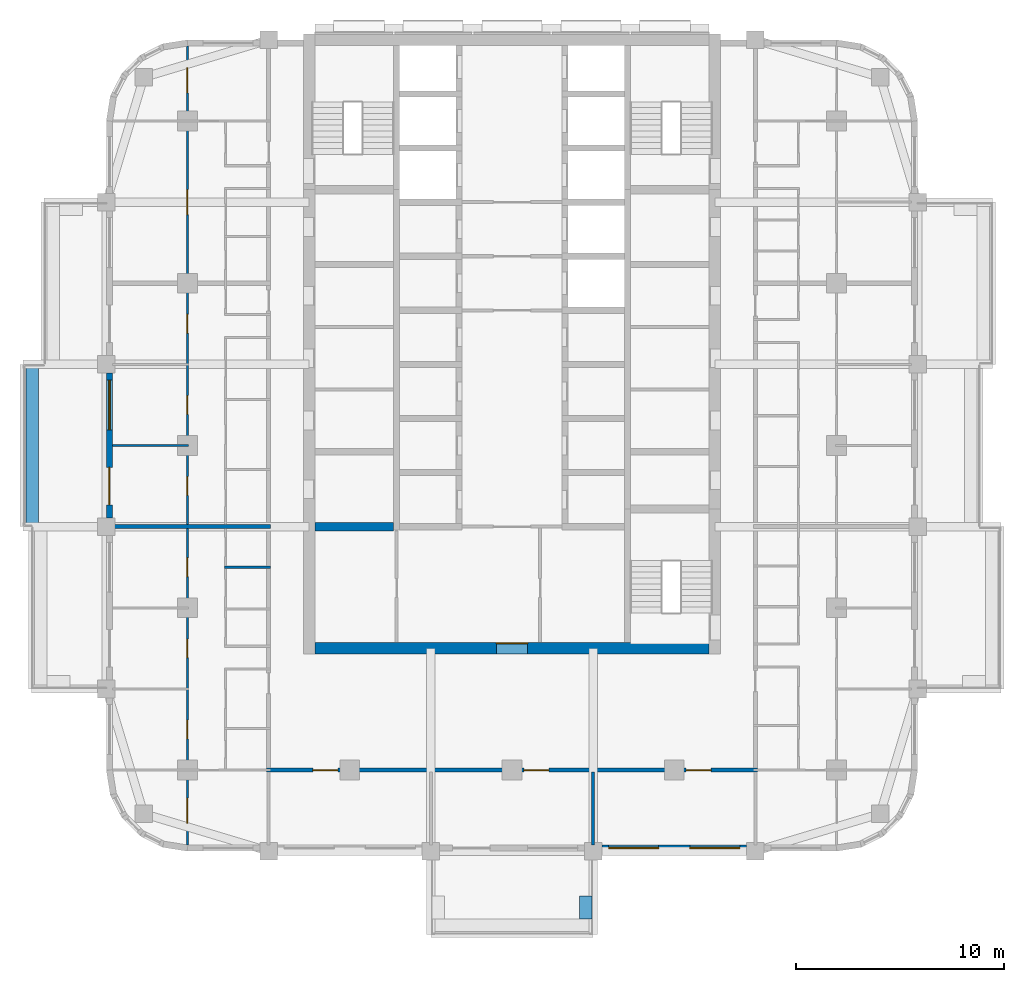
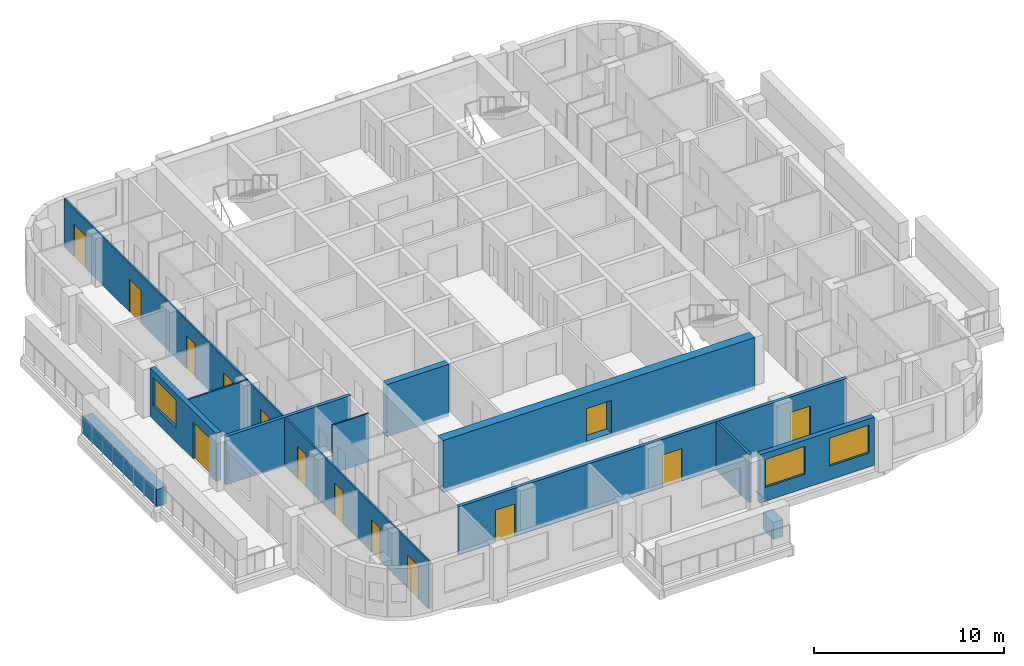
# One storey, part 3 of 14: 14 doors, 12 walls, 3 windows, 17 openings.
"""IFC4 building model written with IfcOpenShell, lengths in metres."""

from ifc_helpers import new_model, si_unit, direction, frame, frame_2d, origin, place, context, subcontext, project, spatial, rectangle, extrude, material, layer, layer_set, type_object, element, fill, save


model = new_model("IFC4")

# Units and contexts
model_context = context("Model", 3, precision=1e-05, world=origin(), true_north=direction((0.0, 1.0)))
body_context = subcontext(model_context, "Body", "Model", "MODEL_VIEW")
ifc_project = project(units=[si_unit("LENGTHUNIT", "METRE"), si_unit("AREAUNIT", "SQUARE_METRE"), si_unit("VOLUMEUNIT", "CUBIC_METRE"), si_unit("PLANEANGLEUNIT", "RADIAN"), si_unit("MASSUNIT", "GRAM", prefix="KILO")], contexts=[model_context])

# Site, building, storey
site_placement = place(None, origin())
site = spatial("IfcSite", under=ifc_project, at=site_placement, CompositionType="ELEMENT")
building_placement = place(site_placement, origin())
building = spatial("IfcBuilding", under=site, at=building_placement, Name="Ludao Terraces", CompositionType="ELEMENT")
storey_placement = place(building_placement, frame((0.0, 0.0, 140.699951171875)))
storey = spatial("IfcBuildingStorey", under=building, at=storey_placement, Name="L38", CompositionType="ELEMENT", Elevation=140.699951171875)

# Wall, opening, door
ifc_material_1 = material(Name="Concrete C60", Category="concrete")
ifc_layer_1 = layer(ifc_material_1, 0.550048828125)
ifc_layer_set_1 = layer_set([ifc_layer_1], Name="Core wall 550 C60")
wall_type_1 = type_object("IfcWallType", Name="Core wall 550 C60", PredefinedType="SOLIDWALL", material=ifc_layer_set_1)
wall_1_placement = place(storey_placement, frame((75.52490234375, 55.25, -0.25), z_axis=(0.0, 0.0, 1.0), x_axis=(1.0, 0.0, 0.0)))
wall_1 = element("IfcWall", 1, at=wall_1_placement, inside=storey, type_object=wall_type_1, Name="Core wall L38 outer-S", PredefinedType="SOLIDWALL", context=body_context, shape_type="SweptSolid", body=[
    extrude(rectangle(XDim=18.9501953125, YDim=0.550048828125, at=frame_2d((9.47509765625, 0.0))), origin(), (0.0, 0.0, 1.0), 3.35009765625),
])
opening_1_placement = place(wall_1_placement, frame((8.72509765625, 0.0, 0.25)))
opening_1 = element("IfcOpeningElement", 2, at=opening_1_placement, cuts=wall_1, Name="Opening R13-017", PredefinedType="OPENING", context=body_context, shape_type="SweptSolid", body=[
    extrude(rectangle(XDim=1.5, YDim=2.10009765625, at=frame_2d((0.75, 1.050048828125))), frame((0.0, 0.28515625, 0.0), z_axis=(0.0, -1.0, 0.0), x_axis=(1.0, 0.0, 0.0)), (0.0, 0.0, 1.0), 0.570068359375),
])
ifc_material_2 = material(Name="Steel Q235", Category="steel")
door_type_1 = type_object("IfcDoorType", Name="INT Lobby door 1500", OperationType="DOUBLE_DOOR_SINGLE_SWING", PredefinedType="DOOR", material=ifc_material_2)
door_1_placement = place(opening_1_placement, origin())
door_1 = element("IfcDoor", 3, at=door_1_placement, inside=storey, type_object=door_type_1, Name="DOOR 017", OperationType="DOUBLE_DOOR_SINGLE_SWING", OverallHeight=2.10009765625, OverallWidth=1.5, PredefinedType="DOOR", context=body_context, shape_type="SweptSolid", body=[
    extrude(rectangle(XDim=1.5, YDim=2.10009765625, at=frame_2d((0.75, 1.050048828125))), frame((0.0, 0.26025390625, 0.0), z_axis=(0.0, -1.0, 0.0), x_axis=(1.0, 0.0, 0.0)), (0.0, 0.0, 1.0), 0.050048828125),
])
fill(opening_1, door_1)

# Walls
ifc_material_3 = material(Name="Concrete C40", Category="concrete")
ifc_layer_2 = layer(ifc_material_3, 0.60009765625)
ifc_layer_set_2 = layer_set([ifc_layer_2], Name="ENV Planter trough 600")
wall_type_2 = type_object("IfcWallType", Name="ENV Planter trough 600", PredefinedType="USERDEFINED", material=ifc_layer_set_2)
wall_2_placement = place(storey_placement, frame((88.550048828125, 42.25, 0.0), z_axis=(0.0, 0.0, 1.0), x_axis=(0.0, 1.0, 0.0)))
element("IfcWall", 4, at=wall_2_placement, inside=storey, type_object=wall_type_2, Name="PL-L38-S1-SB", ObjectType="PLANTER", PredefinedType="USERDEFINED", context=body_context, shape_type="SweptSolid", body=[
    extrude(rectangle(XDim=1.10009765625, YDim=0.60009765625, at=frame_2d((0.550048828125, 0.0))), origin(), (0.0, 0.0, 1.0), 1.10009765625),
])
wall_3_placement = place(storey_placement, frame((61.949951171875, 61.10009765625, 0.0), z_axis=(0.0, 0.0, 1.0), x_axis=(0.0, 1.0, 0.0)))
element("IfcWall", 5, at=wall_3_placement, inside=storey, type_object=wall_type_2, Name="PL-L38-W2", ObjectType="PLANTER", PredefinedType="USERDEFINED", context=body_context, shape_type="SweptSolid", body=[
    extrude(rectangle(XDim=7.7998046875, YDim=0.60009765625, at=frame_2d((3.89990234375, 0.0))), origin(), (0.0, 0.0, 1.0), 1.10009765625),
])

# Wall, openings, windows
ifc_material_4 = material(Name="Granite cladding", Category="masonry")
ifc_layer_3 = layer(ifc_material_4, 0.0400390625, Category="stone")
ifc_material_5 = material(Name="Mineral wool")
ifc_layer_4 = layer(ifc_material_5, 0.06005859375)
ifc_layer_5 = layer(ifc_material_3, 0.199951171875, Category="concrete")
ifc_layer_set_3 = layer_set([ifc_layer_3, ifc_layer_4, ifc_layer_5], Name="ENV Stone-clad wall 300")
wall_type_3 = type_object("IfcWallType", Name="ENV Stone-clad wall 300", PredefinedType="SOLIDWALL", material=ifc_layer_set_3)
wall_4_placement = place(storey_placement, frame((89.324951171875, 45.64990234375, 0.0), z_axis=(0.0, 0.0, 1.0), x_axis=(1.0, 0.0, 0.0)))
wall_4 = element("IfcWall", 6, at=wall_4_placement, inside=storey, type_object=wall_type_3, Name="EW-L38-S4", PredefinedType="SOLIDWALL", context=body_context, shape_type="SweptSolid", body=[
    extrude(rectangle(XDim=6.949951171875, YDim=0.300048828125, at=frame_2d((3.47509765625, 0.0))), origin(), (0.0, 0.0, 1.0), 3.10009765625),
])
opening_2_placement = place(wall_4_placement, frame((0.324951171875, 0.0, 0.89990234375)))
opening_2 = element("IfcOpeningElement", 7, at=opening_2_placement, cuts=wall_4, Name="Opening W1", PredefinedType="OPENING", context=body_context, shape_type="SweptSolid", body=[
    extrude(rectangle(XDim=2.39990234375, YDim=1.800048828125, at=frame_2d((1.199951171875, 0.89990234375))), frame((0.0, 0.16015625, 0.0), z_axis=(0.0, -1.0, 0.0), x_axis=(1.0, 0.0, 0.0)), (0.0, 0.0, 1.0), 0.320068359375),
])
opening_3_placement = place(wall_4_placement, frame((4.22509765625, 0.0, 0.89990234375)))
opening_3 = element("IfcOpeningElement", 8, at=opening_3_placement, cuts=wall_4, Name="Opening W1", PredefinedType="OPENING", context=body_context, shape_type="SweptSolid", body=[
    extrude(rectangle(XDim=2.39990234375, YDim=1.800048828125, at=frame_2d((1.199951171875, 0.89990234375))), frame((0.0, 0.16015625, 0.0), z_axis=(0.0, -1.0, 0.0), x_axis=(1.0, 0.0, 0.0)), (0.0, 0.0, 1.0), 0.320068359375),
])
ifc_material_6 = material(Name="Clear glass in aluminium frame", Category="aluminium")
ifc_layer_6 = layer(ifc_material_6, 0.06005859375)
ifc_layer_set_4 = layer_set([ifc_layer_6], Name="ENV Window W1 2400x1800")
window_type = type_object("IfcWindowType", Name="ENV Window W1 2400x1800", PartitioningType="DOUBLE_PANEL_VERTICAL", PredefinedType="WINDOW", material=ifc_layer_set_4)
window_1_placement = place(opening_2_placement, origin())
window_1 = element("IfcWindow", 9, at=window_1_placement, inside=storey, type_object=window_type, Name="W-L38-S4-1", OverallHeight=1.800048828125, OverallWidth=2.39990234375, PartitioningType="DOUBLE_PANEL_VERTICAL", PredefinedType="WINDOW", context=body_context, shape_type="SweptSolid", body=[
    extrude(rectangle(XDim=2.39990234375, YDim=1.800048828125, at=frame_2d((1.199951171875, 0.89990234375))), frame((0.0, 0.030029296875, 0.0), z_axis=(0.0, -1.0, 0.0), x_axis=(1.0, 0.0, 0.0)), (0.0, 0.0, 1.0), 0.06005859375),
])
fill(opening_2, window_1)
window_2_placement = place(opening_3_placement, origin())
window_2 = element("IfcWindow", 10, at=window_2_placement, inside=storey, type_object=window_type, Name="W-L38-S4-2", OverallHeight=1.800048828125, OverallWidth=2.39990234375, PartitioningType="DOUBLE_PANEL_VERTICAL", PredefinedType="WINDOW", context=body_context, shape_type="SweptSolid", body=[
    extrude(rectangle(XDim=2.39990234375, YDim=1.800048828125, at=frame_2d((1.199951171875, 0.89990234375))), frame((0.0, 0.030029296875, 0.0), z_axis=(0.0, -1.0, 0.0), x_axis=(1.0, 0.0, 0.0)), (0.0, 0.0, 1.0), 0.06005859375),
])
fill(opening_3, window_2)

# Wall, openings, door, window
wall_5_placement = place(storey_placement, frame((65.64990234375, 61.52490234375, 0.0), z_axis=(0.0, 0.0, 1.0), x_axis=(0.0, 1.0, 0.0)))
wall_5 = element("IfcWall", 11, at=wall_5_placement, inside=storey, type_object=wall_type_3, Name="EW-L38-W3", PredefinedType="SOLIDWALL", context=body_context, shape_type="SweptSolid", body=[
    extrude(rectangle(XDim=6.9501953125, YDim=0.300048828125, at=frame_2d((3.47509765625, 0.0))), origin(), (0.0, 0.0, 1.0), 3.10009765625),
])
opening_4_placement = place(wall_5_placement, frame((0.625, 0.0, 0.0)))
opening_4 = element("IfcOpeningElement", 12, at=opening_4_placement, cuts=wall_5, Name="Opening BD", PredefinedType="OPENING", context=body_context, shape_type="SweptSolid", body=[
    extrude(rectangle(XDim=1.800048828125, YDim=2.39990234375, at=frame_2d((0.89990234375, 1.199951171875))), frame((0.0, 0.16015625, 0.0), z_axis=(0.0, -1.0, 0.0), x_axis=(1.0, 0.0, 0.0)), (0.0, 0.0, 1.0), 0.320068359375),
])
opening_5_placement = place(wall_5_placement, frame((4.22509765625, 0.0, 0.89990234375)))
opening_5 = element("IfcOpeningElement", 13, at=opening_5_placement, cuts=wall_5, Name="Opening W1", PredefinedType="OPENING", context=body_context, shape_type="SweptSolid", body=[
    extrude(rectangle(XDim=2.39990234375, YDim=1.800048828125, at=frame_2d((1.199951171875, 0.89990234375))), frame((0.0, 0.16015625, 0.0), z_axis=(0.0, -1.0, 0.0), x_axis=(1.0, 0.0, 0.0)), (0.0, 0.0, 1.0), 0.320068359375),
])
ifc_material_7 = material(Name="Aluminium glazed door", Category="aluminium")
ifc_layer_7 = layer(ifc_material_7, 0.06005859375)
ifc_layer_set_5 = layer_set([ifc_layer_7], Name="ENV Balcony door BD 1800x2400")
door_type_2 = type_object("IfcDoorType", Name="ENV Balcony door BD 1800x2400", OperationType="DOUBLE_DOOR_SINGLE_SWING", PredefinedType="DOOR", material=ifc_layer_set_5)
door_2_placement = place(opening_4_placement, origin())
door_2 = element("IfcDoor", 14, at=door_2_placement, inside=storey, type_object=door_type_2, Name="BD-L38-W3-1", OperationType="DOUBLE_DOOR_SINGLE_SWING", OverallHeight=2.39990234375, OverallWidth=1.800048828125, PredefinedType="DOOR", context=body_context, shape_type="SweptSolid", body=[
    extrude(rectangle(XDim=1.800048828125, YDim=2.39990234375, at=frame_2d((0.89990234375, 1.199951171875))), frame((0.0, 0.02490234375, 0.0), z_axis=(0.0, -1.0, 0.0), x_axis=(1.0, 0.0, 0.0)), (0.0, 0.0, 1.0), 0.050048828125),
])
fill(opening_4, door_2)
window_3_placement = place(opening_5_placement, origin())
window_3 = element("IfcWindow", 15, at=window_3_placement, inside=storey, type_object=window_type, Name="W-L38-W3-2", OverallHeight=1.800048828125, OverallWidth=2.39990234375, PartitioningType="DOUBLE_PANEL_VERTICAL", PredefinedType="WINDOW", context=body_context, shape_type="SweptSolid", body=[
    extrude(rectangle(XDim=2.39990234375, YDim=1.800048828125, at=frame_2d((1.199951171875, 0.89990234375))), frame((0.0, 0.030029296875, 0.0), z_axis=(0.0, -1.0, 0.0), x_axis=(1.0, 0.0, 0.0)), (0.0, 0.0, 1.0), 0.06005859375),
])
fill(opening_5, window_3)

# Wall, openings, doors
ifc_material_8 = material(Name="Autoclaved aerated concrete block B06 A3.5", Category="concrete")
ifc_layer_8 = layer(ifc_material_8, 0.199951171875)
ifc_layer_set_6 = layer_set([ifc_layer_8], Name="INT Entrance wall 200")
wall_type_4 = type_object("IfcWallType", Name="INT Entrance wall 200", PredefinedType="PARTITIONING", material=ifc_layer_set_6)
wall_6_placement = place(storey_placement, frame((73.2001953125, 49.39990234375, 0.0), z_axis=(0.0, 0.0, 1.0), x_axis=(1.0, 0.0, 0.0)))
wall_6 = element("IfcWall", 16, at=wall_6_placement, inside=storey, type_object=wall_type_4, Name="PW-L38-PW001", PredefinedType="PARTITIONING", context=body_context, shape_type="SweptSolid", body=[
    extrude(rectangle(XDim=23.599853515625, YDim=0.199951171875, at=frame_2d((11.7998046875, 0.0))), origin(), (0.0, 0.0, 1.0), 3.10009765625),
])
opening_6_placement = place(wall_6_placement, frame((2.224853515625, 0.0, 0.0)))
opening_6 = element("IfcOpeningElement", 17, at=opening_6_placement, cuts=wall_6, Name="Opening R13-004", PredefinedType="OPENING", context=body_context, shape_type="SweptSolid", body=[
    extrude(rectangle(XDim=1.199951171875, YDim=2.10009765625, at=frame_2d((0.60009765625, 1.050048828125))), frame((0.0, 0.10986328125, 0.0), z_axis=(0.0, -1.0, 0.0), x_axis=(1.0, 0.0, 0.0)), (0.0, 0.0, 1.0), 0.219970703125),
])
opening_7_placement = place(wall_6_placement, frame((12.375, 0.0, 0.0)))
opening_7 = element("IfcOpeningElement", 18, at=opening_7_placement, cuts=wall_6, Name="Opening R13-005", PredefinedType="OPENING", context=body_context, shape_type="SweptSolid", body=[
    extrude(rectangle(XDim=1.199951171875, YDim=2.10009765625, at=frame_2d((0.60009765625, 1.050048828125))), frame((0.0, 0.10986328125, 0.0), z_axis=(0.0, -1.0, 0.0), x_axis=(1.0, 0.0, 0.0)), (0.0, 0.0, 1.0), 0.219970703125),
])
opening_8_placement = place(wall_6_placement, frame((20.1748046875, 0.0, 0.0)))
opening_8 = element("IfcOpeningElement", 19, at=opening_8_placement, cuts=wall_6, Name="Opening R13-006", PredefinedType="OPENING", context=body_context, shape_type="SweptSolid", body=[
    extrude(rectangle(XDim=1.199951171875, YDim=2.10009765625, at=frame_2d((0.60009765625, 1.050048828125))), frame((0.0, 0.10986328125, 0.0), z_axis=(0.0, -1.0, 0.0), x_axis=(1.0, 0.0, 0.0)), (0.0, 0.0, 1.0), 0.219970703125),
])
ifc_material_9 = material(Name="Timber door leaf", Category="wood")
door_type_3 = type_object("IfcDoorType", Name="INT Double door 1200", OperationType="DOUBLE_DOOR_SINGLE_SWING", PredefinedType="DOOR", material=ifc_material_9)
door_3_placement = place(opening_6_placement, origin())
door_3 = element("IfcDoor", 20, at=door_3_placement, inside=storey, type_object=door_type_3, Name="DOOR 004", OperationType="DOUBLE_DOOR_SINGLE_SWING", OverallHeight=2.10009765625, OverallWidth=1.199951171875, PredefinedType="DOOR", context=body_context, shape_type="SweptSolid", body=[
    extrude(rectangle(XDim=1.199951171875, YDim=2.10009765625, at=frame_2d((0.60009765625, 1.050048828125))), frame((0.0, 0.02490234375, 0.0), z_axis=(0.0, -1.0, 0.0), x_axis=(1.0, 0.0, 0.0)), (0.0, 0.0, 1.0), 0.050048828125),
])
fill(opening_6, door_3)
door_4_placement = place(opening_7_placement, origin())
door_4 = element("IfcDoor", 21, at=door_4_placement, inside=storey, type_object=door_type_3, Name="DOOR 005", OperationType="DOUBLE_DOOR_SINGLE_SWING", OverallHeight=2.10009765625, OverallWidth=1.199951171875, PredefinedType="DOOR", context=body_context, shape_type="SweptSolid", body=[
    extrude(rectangle(XDim=1.199951171875, YDim=2.10009765625, at=frame_2d((0.60009765625, 1.050048828125))), frame((0.0, 0.02490234375, 0.0), z_axis=(0.0, -1.0, 0.0), x_axis=(1.0, 0.0, 0.0)), (0.0, 0.0, 1.0), 0.050048828125),
])
fill(opening_7, door_4)
door_5_placement = place(opening_8_placement, origin())
door_5 = element("IfcDoor", 22, at=door_5_placement, inside=storey, type_object=door_type_3, Name="DOOR 006", OperationType="DOUBLE_DOOR_SINGLE_SWING", OverallHeight=2.10009765625, OverallWidth=1.199951171875, PredefinedType="DOOR", context=body_context, shape_type="SweptSolid", body=[
    extrude(rectangle(XDim=1.199951171875, YDim=2.10009765625, at=frame_2d((0.60009765625, 1.050048828125))), frame((0.0, 0.02490234375, 0.0), z_axis=(0.0, -1.0, 0.0), x_axis=(1.0, 0.0, 0.0)), (0.0, 0.0, 1.0), 0.050048828125),
])
fill(opening_8, door_5)

# Walls
ifc_material_10 = material(Name="Gypsum plasterboard", Category="gypsum")
ifc_layer_9 = layer(ifc_material_10, 0.012451171875, Category="gypsum")
ifc_layer_10 = layer(ifc_material_5, 0.06005859375, Name="insulation")
ifc_layer_11 = layer(ifc_material_2, 0.014892578125, Name="stud")
ifc_layer_12 = layer(ifc_material_10, 0.012451171875, Category="gypsum")
ifc_layer_set_7 = layer_set([ifc_layer_9, ifc_layer_10, ifc_layer_11, ifc_layer_12], Name="INT Partition 100")
wall_type_5 = type_object("IfcWallType", Name="INT Partition 100", PredefinedType="PARTITIONING", material=ifc_layer_set_7)
wall_7_placement = place(storey_placement, frame((71.18017578125, 59.14990234375, 0.0), z_axis=(0.0, 0.0, 1.0), x_axis=(1.0, 0.0, 0.0)))
element("IfcWall", 23, at=wall_7_placement, inside=storey, type_object=wall_type_5, Name="PW-L38-PW015", PredefinedType="PARTITIONING", context=body_context, shape_type="SweptSolid", body=[
    extrude(rectangle(XDim=2.219970703125, YDim=0.10009765625, at=frame_2d((1.10986328125, 0.0))), origin(), (0.0, 0.0, 1.0), 3.10009765625),
])
wall_8_placement = place(storey_placement, frame((65.800048828125, 65.0, 0.0), z_axis=(0.0, 0.0, 1.0), x_axis=(1.0, 0.0, 0.0)))
element("IfcWall", 24, at=wall_8_placement, inside=storey, type_object=wall_type_5, Name="PW-L38-PW022", PredefinedType="PARTITIONING", context=body_context, shape_type="SweptSolid", body=[
    extrude(rectangle(XDim=3.650146484375, YDim=0.10009765625, at=frame_2d((1.8251953125, 0.0))), origin(), (0.0, 0.0, 1.0), 3.10009765625),
])

# Wall, openings, doors
wall_9_placement = place(storey_placement, frame((69.39990234375, 45.800048828125, 0.0), z_axis=(0.0, 0.0, 1.0), x_axis=(0.0, 1.0, 0.0)))
wall_9 = element("IfcWall", 25, at=wall_9_placement, inside=storey, type_object=wall_type_5, Name="PW-L38-PW051", PredefinedType="PARTITIONING", context=body_context, shape_type="SweptSolid", body=[
    extrude(rectangle(XDim=38.400146484375, YDim=0.10009765625, at=frame_2d((19.2001953125, 0.0))), origin(), (0.0, 0.0, 1.0), 3.10009765625),
])
opening_9_placement = place(wall_9_placement, frame((1.050048828125, 0.0, 0.0)))
opening_9 = element("IfcOpeningElement", 26, at=opening_9_placement, cuts=wall_9, Name="Opening R13-001", PredefinedType="OPENING", context=body_context, shape_type="SweptSolid", body=[
    extrude(rectangle(XDim=1.199951171875, YDim=2.10009765625, at=frame_2d((0.60009765625, 1.050048828125))), frame((0.0, 0.06005859375, 0.0), z_axis=(0.0, -1.0, 0.0), x_axis=(1.0, 0.0, 0.0)), (0.0, 0.0, 1.0), 0.1201171875),
])
opening_10_placement = place(wall_9_placement, frame((5.10009765625, 0.0, 0.0)))
opening_10 = element("IfcOpeningElement", 27, at=opening_10_placement, cuts=wall_9, Name="Opening R13-010", PredefinedType="OPENING", context=body_context, shape_type="SweptSolid", body=[
    extrude(rectangle(XDim=0.89990234375, YDim=2.10009765625, at=frame_2d((0.449951171875, 1.050048828125))), frame((0.0, 0.06005859375, 0.0), z_axis=(0.0, -1.0, 0.0), x_axis=(1.0, 0.0, 0.0)), (0.0, 0.0, 1.0), 0.1201171875),
])
opening_11_placement = place(wall_9_placement, frame((9.0, 0.0, 0.0)))
opening_11 = element("IfcOpeningElement", 28, at=opening_11_placement, cuts=wall_9, Name="Opening R13-016", PredefinedType="OPENING", context=body_context, shape_type="SweptSolid", body=[
    extrude(rectangle(XDim=0.89990234375, YDim=2.10009765625, at=frame_2d((0.449951171875, 1.050048828125))), frame((0.0, 0.06005859375, 0.0), z_axis=(0.0, -1.0, 0.0), x_axis=(1.0, 0.0, 0.0)), (0.0, 0.0, 1.0), 0.1201171875),
])
opening_12_placement = place(wall_9_placement, frame((12.89990234375, 0.0, 0.0)))
opening_12 = element("IfcOpeningElement", 29, at=opening_12_placement, cuts=wall_9, Name="Opening R13-026", PredefinedType="OPENING", context=body_context, shape_type="SweptSolid", body=[
    extrude(rectangle(XDim=0.89990234375, YDim=2.10009765625, at=frame_2d((0.449951171875, 1.050048828125))), frame((0.0, 0.06005859375, 0.0), z_axis=(0.0, -1.0, 0.0), x_axis=(1.0, 0.0, 0.0)), (0.0, 0.0, 1.0), 0.1201171875),
])
opening_13_placement = place(wall_9_placement, frame((16.800048828125, 0.0, 0.0)))
opening_13 = element("IfcOpeningElement", 30, at=opening_13_placement, cuts=wall_9, Name="Opening R13-036", PredefinedType="OPENING", context=body_context, shape_type="SweptSolid", body=[
    extrude(rectangle(XDim=0.89990234375, YDim=2.10009765625, at=frame_2d((0.449951171875, 1.050048828125))), frame((0.0, 0.06005859375, 0.0), z_axis=(0.0, -1.0, 0.0), x_axis=(1.0, 0.0, 0.0)), (0.0, 0.0, 1.0), 0.1201171875),
])
opening_14_placement = place(wall_9_placement, frame((20.699951171875, 0.0, 0.0)))
opening_14 = element("IfcOpeningElement", 31, at=opening_14_placement, cuts=wall_9, Name="Opening R13-045", PredefinedType="OPENING", context=body_context, shape_type="SweptSolid", body=[
    extrude(rectangle(XDim=0.89990234375, YDim=2.10009765625, at=frame_2d((0.449951171875, 1.050048828125))), frame((0.0, 0.06005859375, 0.0), z_axis=(0.0, -1.0, 0.0), x_axis=(1.0, 0.0, 0.0)), (0.0, 0.0, 1.0), 0.1201171875),
])
opening_15_placement = place(wall_9_placement, frame((24.60009765625, 0.0, 0.0)))
opening_15 = element("IfcOpeningElement", 32, at=opening_15_placement, cuts=wall_9, Name="Opening R13-055", PredefinedType="OPENING", context=body_context, shape_type="SweptSolid", body=[
    extrude(rectangle(XDim=0.89990234375, YDim=2.10009765625, at=frame_2d((0.449951171875, 1.050048828125))), frame((0.0, 0.06005859375, 0.0), z_axis=(0.0, -1.0, 0.0), x_axis=(1.0, 0.0, 0.0)), (0.0, 0.0, 1.0), 0.1201171875),
])
opening_16_placement = place(wall_9_placement, frame((30.300048828125, 0.0, 0.0)))
opening_16 = element("IfcOpeningElement", 33, at=opening_16_placement, cuts=wall_9, Name="Opening R13-077", PredefinedType="OPENING", context=body_context, shape_type="SweptSolid", body=[
    extrude(rectangle(XDim=1.199951171875, YDim=2.10009765625, at=frame_2d((0.60009765625, 1.050048828125))), frame((0.0, 0.06005859375, 0.0), z_axis=(0.0, -1.0, 0.0), x_axis=(1.0, 0.0, 0.0)), (0.0, 0.0, 1.0), 0.1201171875),
])
opening_17_placement = place(wall_9_placement, frame((36.14990234375, 0.0, 0.0)))
opening_17 = element("IfcOpeningElement", 34, at=opening_17_placement, cuts=wall_9, Name="Opening R13-092", PredefinedType="OPENING", context=body_context, shape_type="SweptSolid", body=[
    extrude(rectangle(XDim=1.199951171875, YDim=2.10009765625, at=frame_2d((0.60009765625, 1.050048828125))), frame((0.0, 0.06005859375, 0.0), z_axis=(0.0, -1.0, 0.0), x_axis=(1.0, 0.0, 0.0)), (0.0, 0.0, 1.0), 0.1201171875),
])
door_6_placement = place(opening_9_placement, origin())
door_6 = element("IfcDoor", 35, at=door_6_placement, inside=storey, type_object=door_type_3, Name="DOOR 001", OperationType="DOUBLE_DOOR_SINGLE_SWING", OverallHeight=2.10009765625, OverallWidth=1.199951171875, PredefinedType="DOOR", context=body_context, shape_type="SweptSolid", body=[
    extrude(rectangle(XDim=1.199951171875, YDim=2.10009765625, at=frame_2d((0.60009765625, 1.050048828125))), frame((0.0, 0.02490234375, 0.0), z_axis=(0.0, -1.0, 0.0), x_axis=(1.0, 0.0, 0.0)), (0.0, 0.0, 1.0), 0.050048828125),
])
fill(opening_9, door_6)
door_7_placement = place(opening_16_placement, origin())
door_7 = element("IfcDoor", 36, at=door_7_placement, inside=storey, type_object=door_type_3, Name="DOOR 077", OperationType="DOUBLE_DOOR_SINGLE_SWING", OverallHeight=2.10009765625, OverallWidth=1.199951171875, PredefinedType="DOOR", context=body_context, shape_type="SweptSolid", body=[
    extrude(rectangle(XDim=1.199951171875, YDim=2.10009765625, at=frame_2d((0.60009765625, 1.050048828125))), frame((0.0, 0.02490234375, 0.0), z_axis=(0.0, -1.0, 0.0), x_axis=(1.0, 0.0, 0.0)), (0.0, 0.0, 1.0), 0.050048828125),
])
fill(opening_16, door_7)
door_8_placement = place(opening_17_placement, origin())
door_8 = element("IfcDoor", 37, at=door_8_placement, inside=storey, type_object=door_type_3, Name="DOOR 092", OperationType="DOUBLE_DOOR_SINGLE_SWING", OverallHeight=2.10009765625, OverallWidth=1.199951171875, PredefinedType="DOOR", context=body_context, shape_type="SweptSolid", body=[
    extrude(rectangle(XDim=1.199951171875, YDim=2.10009765625, at=frame_2d((0.60009765625, 1.050048828125))), frame((0.0, 0.02490234375, 0.0), z_axis=(0.0, -1.0, 0.0), x_axis=(1.0, 0.0, 0.0)), (0.0, 0.0, 1.0), 0.050048828125),
])
fill(opening_17, door_8)
door_type_4 = type_object("IfcDoorType", Name="INT Room door 900", OperationType="SINGLE_SWING_LEFT", PredefinedType="DOOR", material=ifc_material_9)
door_9_placement = place(opening_10_placement, origin())
door_9 = element("IfcDoor", 38, at=door_9_placement, inside=storey, type_object=door_type_4, Name="DOOR 010", OperationType="SINGLE_SWING_RIGHT", OverallHeight=2.10009765625, OverallWidth=0.89990234375, PredefinedType="DOOR", context=body_context, shape_type="SweptSolid", body=[
    extrude(rectangle(XDim=0.89990234375, YDim=2.10009765625, at=frame_2d((0.449951171875, 1.050048828125))), frame((0.0, 0.02490234375, 0.0), z_axis=(0.0, -1.0, 0.0), x_axis=(1.0, 0.0, 0.0)), (0.0, 0.0, 1.0), 0.050048828125),
])
fill(opening_10, door_9)
door_10_placement = place(opening_11_placement, origin())
door_10 = element("IfcDoor", 39, at=door_10_placement, inside=storey, type_object=door_type_4, Name="DOOR 016", OperationType="SINGLE_SWING_LEFT", OverallHeight=2.10009765625, OverallWidth=0.89990234375, PredefinedType="DOOR", context=body_context, shape_type="SweptSolid", body=[
    extrude(rectangle(XDim=0.89990234375, YDim=2.10009765625, at=frame_2d((0.449951171875, 1.050048828125))), frame((0.0, 0.02490234375, 0.0), z_axis=(0.0, -1.0, 0.0), x_axis=(1.0, 0.0, 0.0)), (0.0, 0.0, 1.0), 0.050048828125),
])
fill(opening_11, door_10)
door_11_placement = place(opening_12_placement, origin())
door_11 = element("IfcDoor", 40, at=door_11_placement, inside=storey, type_object=door_type_4, Name="DOOR 026", OperationType="SINGLE_SWING_LEFT", OverallHeight=2.10009765625, OverallWidth=0.89990234375, PredefinedType="DOOR", context=body_context, shape_type="SweptSolid", body=[
    extrude(rectangle(XDim=0.89990234375, YDim=2.10009765625, at=frame_2d((0.449951171875, 1.050048828125))), frame((0.0, 0.02490234375, 0.0), z_axis=(0.0, -1.0, 0.0), x_axis=(1.0, 0.0, 0.0)), (0.0, 0.0, 1.0), 0.050048828125),
])
fill(opening_12, door_11)
door_12_placement = place(opening_13_placement, origin())
door_12 = element("IfcDoor", 41, at=door_12_placement, inside=storey, type_object=door_type_4, Name="DOOR 036", OperationType="SINGLE_SWING_LEFT", OverallHeight=2.10009765625, OverallWidth=0.89990234375, PredefinedType="DOOR", context=body_context, shape_type="SweptSolid", body=[
    extrude(rectangle(XDim=0.89990234375, YDim=2.10009765625, at=frame_2d((0.449951171875, 1.050048828125))), frame((0.0, 0.02490234375, 0.0), z_axis=(0.0, -1.0, 0.0), x_axis=(1.0, 0.0, 0.0)), (0.0, 0.0, 1.0), 0.050048828125),
])
fill(opening_13, door_12)
door_13_placement = place(opening_14_placement, origin())
door_13 = element("IfcDoor", 42, at=door_13_placement, inside=storey, type_object=door_type_4, Name="DOOR 045", OperationType="SINGLE_SWING_RIGHT", OverallHeight=2.10009765625, OverallWidth=0.89990234375, PredefinedType="DOOR", context=body_context, shape_type="SweptSolid", body=[
    extrude(rectangle(XDim=0.89990234375, YDim=2.10009765625, at=frame_2d((0.449951171875, 1.050048828125))), frame((0.0, 0.02490234375, 0.0), z_axis=(0.0, -1.0, 0.0), x_axis=(1.0, 0.0, 0.0)), (0.0, 0.0, 1.0), 0.050048828125),
])
fill(opening_14, door_13)
door_14_placement = place(opening_15_placement, origin())
door_14 = element("IfcDoor", 43, at=door_14_placement, inside=storey, type_object=door_type_4, Name="DOOR 055", OperationType="SINGLE_SWING_RIGHT", OverallHeight=2.10009765625, OverallWidth=0.89990234375, PredefinedType="DOOR", context=body_context, shape_type="SweptSolid", body=[
    extrude(rectangle(XDim=0.89990234375, YDim=2.10009765625, at=frame_2d((0.449951171875, 1.050048828125))), frame((0.0, 0.02490234375, 0.0), z_axis=(0.0, -1.0, 0.0), x_axis=(1.0, 0.0, 0.0)), (0.0, 0.0, 1.0), 0.050048828125),
])
fill(opening_15, door_14)

# Walls
ifc_layer_13 = layer(ifc_material_8, 0.14990234375)
ifc_layer_set_8 = layer_set([ifc_layer_13], Name="INT Party wall 150")
wall_type_6 = type_object("IfcWallType", Name="INT Party wall 150", PredefinedType="PARTITIONING", material=ifc_layer_set_8)
wall_10_placement = place(storey_placement, frame((88.89990234375, 45.800048828125, 0.0), z_axis=(0.0, 0.0, 1.0), x_axis=(0.0, 1.0, 0.0)))
element("IfcWall", 44, at=wall_10_placement, inside=storey, type_object=wall_type_6, Name="PW-L38-PW061", PredefinedType="PARTITIONING", context=body_context, shape_type="SweptSolid", body=[
    extrude(rectangle(XDim=3.5, YDim=0.14990234375, at=frame_2d((1.75, 0.0))), origin(), (0.0, 0.0, 1.0), 3.10009765625),
])
ifc_layer_14 = layer(ifc_material_8, 0.199951171875)
ifc_layer_set_9 = layer_set([ifc_layer_14], Name="INT Party wall 200")
wall_type_7 = type_object("IfcWallType", Name="INT Party wall 200", PredefinedType="PARTITIONING", material=ifc_layer_set_9)
wall_11_placement = place(storey_placement, frame((65.800048828125, 61.10009765625, 0.0), z_axis=(0.0, 0.0, 1.0), x_axis=(1.0, 0.0, 0.0)))
element("IfcWall", 45, at=wall_11_placement, inside=storey, type_object=wall_type_7, Name="PW-L38-PW017", PredefinedType="PARTITIONING", context=body_context, shape_type="SweptSolid", body=[
    extrude(rectangle(XDim=7.60009765625, YDim=0.199951171875, at=frame_2d((3.800048828125, 0.0))), origin(), (0.0, 0.0, 1.0), 3.10009765625),
])
ifc_material_11 = material(Name="Concrete C55", Category="concrete")
ifc_layer_15 = layer(ifc_material_11, 0.39990234375)
ifc_layer_set_10 = layer_set([ifc_layer_15], Name="Shaft wall 400 C55")
wall_type_8 = type_object("IfcWallType", Name="Shaft wall 400 C55", PredefinedType="SOLIDWALL", material=ifc_layer_set_10)
wall_12_placement = place(storey_placement, frame((75.52490234375, 61.10009765625, -0.25), z_axis=(0.0, 0.0, 1.0), x_axis=(1.0, 0.0, 0.0)))
element("IfcWall", 46, at=wall_12_placement, inside=storey, type_object=wall_type_8, Name="Core wall L38 hall-W", PredefinedType="SOLIDWALL", context=body_context, shape_type="SweptSolid", body=[
    extrude(rectangle(XDim=3.775146484375, YDim=0.39990234375, at=frame_2d((1.8876953125, 0.0))), origin(), (0.0, 0.0, 1.0), 3.35009765625),
])

save(model, "model.ifc")
